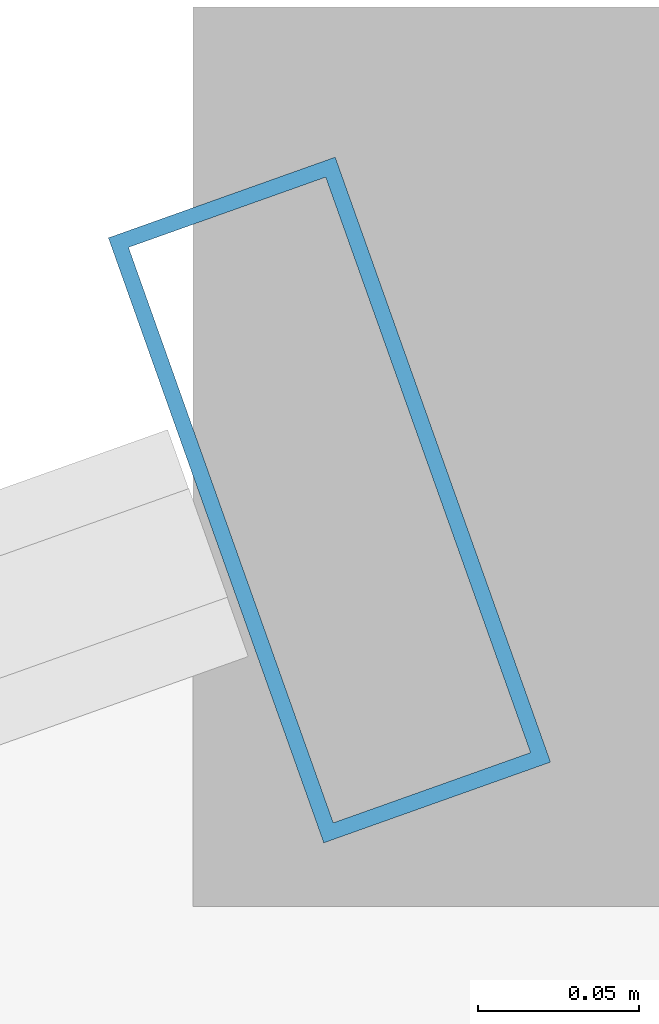
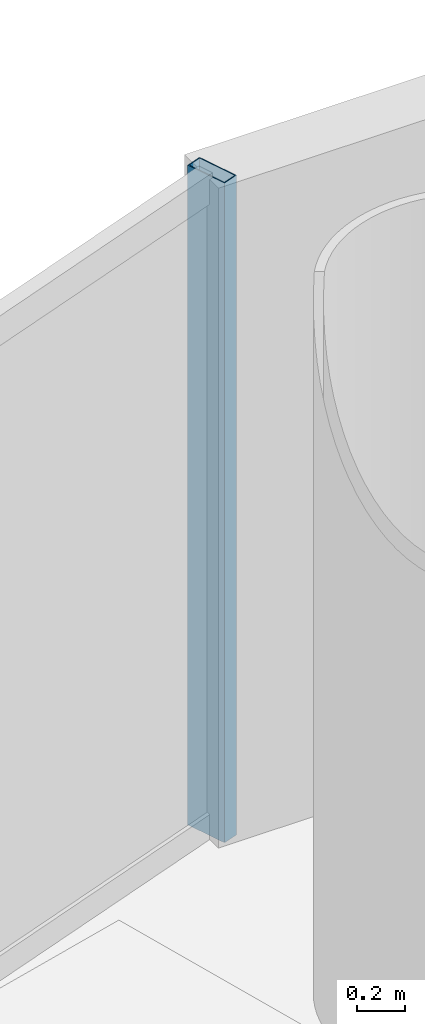
# One storey, part 17 of 27: 1 member, 1 element without a shape of its own.
"""IFC4 building model written with IfcOpenShell, lengths in metres."""

from ifc_helpers import new_model, si_unit, direction, frame, origin, origin_2d, place, context, subcontext, project, spatial, hollow_rectangle, extrude, source, transform, mapped, material, material_profile, profile_set, type_object, element, aggregate, save


model = new_model("IFC4")

# Units and contexts
model_context = context("Model", 3, precision=1e-05, world=origin(), true_north=direction((-0.2419218956, 0.970295726276)))
body_context = subcontext(model_context, "Body", "Model", "MODEL_VIEW")
ifc_project = project(units=[si_unit("LENGTHUNIT", "METRE"), si_unit("AREAUNIT", "SQUARE_METRE"), si_unit("VOLUMEUNIT", "CUBIC_METRE"), si_unit("PLANEANGLEUNIT", "RADIAN"), si_unit("MASSUNIT", "GRAM", prefix="KILO")], contexts=[model_context])

# Site, building, storey
site_placement = place(None, origin())
site = spatial("IfcSite", under=ifc_project, at=site_placement, CompositionType="ELEMENT")
building_placement = place(site_placement, origin())
building = spatial("IfcBuilding", under=site, at=building_placement, Name="Cobrevalo Terracotta Tower", CompositionType="ELEMENT")
storey_placement = place(building_placement, frame((0.0, 0.0, 149.800048828125)))
storey = spatial("IfcBuildingStorey", under=building, at=storey_placement, Name="L39", CompositionType="ELEMENT", Elevation=149.800048828125)

# Curtain wall, member
ifc_material = material(Name="Anodized aluminium", Category="aluminium")
curtain_wall_type = type_object("IfcCurtainWallType", Name="Mid-tower high-wind unitised curtain wall CW-U2", PredefinedType="NOTDEFINED", material=ifc_material)
curtain_wall_placement = place(storey_placement, origin())
curtain_wall = element("IfcCurtainWall", 1, at=curtain_wall_placement, inside=storey, type_object=curtain_wall_type, Name="L39 curtain wall CW-L39-S05", PredefinedType="NOTDEFINED")
ifc_material_profile = material_profile(ifc_material, hollow_rectangle(XDim=0.074951171875, YDim=0.199951171875, WallThickness=0.0048828125, at=origin_2d()), Name="CWM 75x200")
ifc_profile_set = profile_set([ifc_material_profile], Name="Anodized aluminium")
member_type = type_object("IfcMemberType", Name="Lower/mid tower unitised mullion 75x200", PredefinedType="MULLION", material=ifc_profile_set)
shared_shape = source(origin(), body_context, "Body", "SweptSolid", [
    extrude(hollow_rectangle(XDim=0.074951171875, YDim=0.199951171875, WallThickness=0.0048828125, at=origin_2d()), origin(), (0.0, 0.0, 1.0), 3.329833984375),
])
member_placement = place(storey_placement, frame((33.2470703125, 47.157470703125, 0.0), z_axis=(0.0, 0.0, 1.0), x_axis=(-0.942098428897, -0.335336473217, 0.0)))
member = element("IfcMember", 2, at=member_placement, type_object=member_type, Name="CW-L39-S05 vertical mullion 01", PredefinedType="MULLION", context=body_context, shape_type="MappedRepresentation", body=[
    mapped(shared_shape, transform((0.0, 0.0, 0.0), scale=1.0)),
])
aggregate(curtain_wall, [member])

save(model, "model.ifc")
